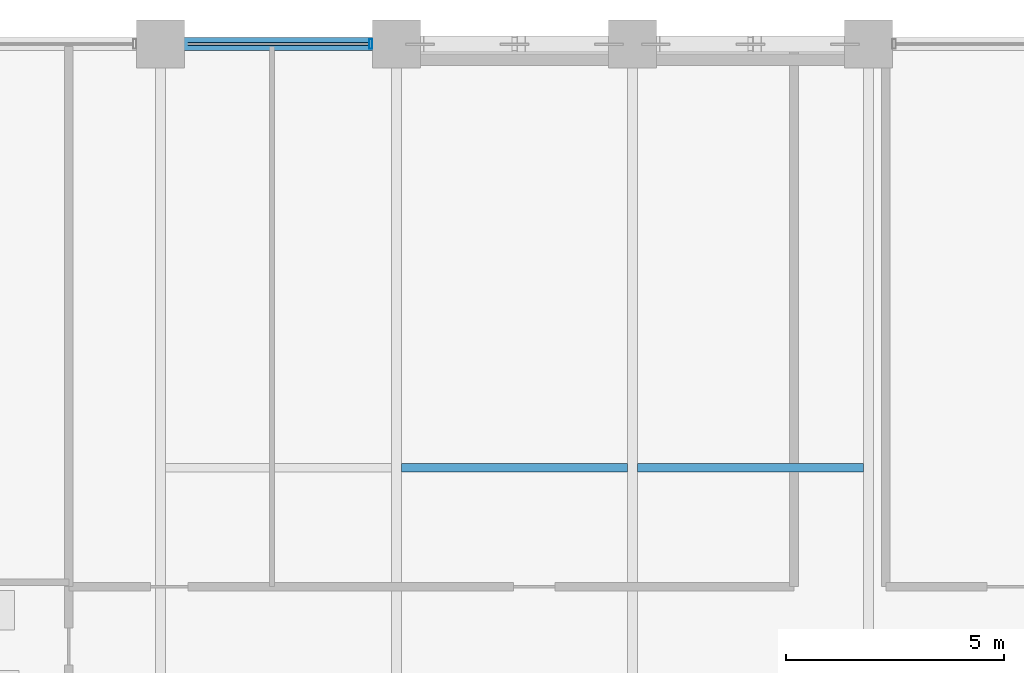
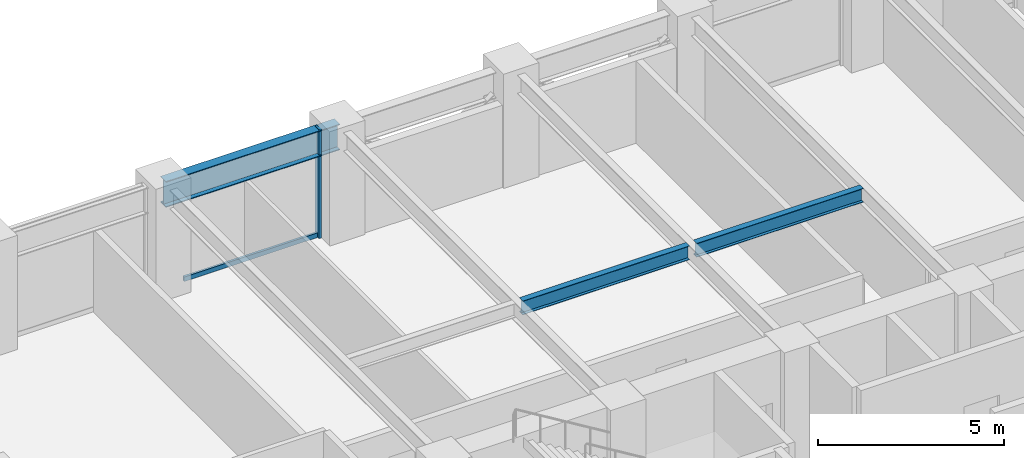
# One storey, part 12 of 25: 3 beams, 2 members, 1 element without a shape of its own.
"""IFC4 building model written with IfcOpenShell, lengths in metres."""

from ifc_helpers import new_model, si_unit, direction, frame, origin, origin_2d, place, context, subcontext, project, spatial, hollow_rectangle, i_section, extrude, material, layer, layer_set, material_profile, profile_set, type_object, element, aggregate, save


model = new_model("IFC4")

# Units and contexts
model_context = context("Model", 3, precision=1e-05, world=origin(), true_north=direction((0.0, 1.0)))
body_context = subcontext(model_context, "Body", "Model", "MODEL_VIEW")
ifc_project = project(units=[si_unit("LENGTHUNIT", "METRE"), si_unit("AREAUNIT", "SQUARE_METRE"), si_unit("VOLUMEUNIT", "CUBIC_METRE"), si_unit("PLANEANGLEUNIT", "RADIAN"), si_unit("MASSUNIT", "GRAM", prefix="KILO")], contexts=[model_context])

# Site, building, storey
site_placement = place(None, origin())
site = spatial("IfcSite", under=ifc_project, at=site_placement, CompositionType="ELEMENT")
building_placement = place(site_placement, origin())
building = spatial("IfcBuilding", under=site, at=building_placement, Name="Surkhivell Harbour Commons", CompositionType="ELEMENT")
storey_placement = place(building_placement, frame((0.0, 0.0, 94.5)))
storey = spatial("IfcBuildingStorey", under=building, at=storey_placement, Name="L24", CompositionType="ELEMENT", Elevation=94.5)

# Beams
ifc_material_1 = material(Name="Steel S355", Category="steel")
ifc_material_profile_1 = material_profile(ifc_material_1, i_section(OverallWidth=0.18994140625, OverallDepth=0.45703125, WebThickness=0.009033203125, FlangeThickness=0.014404296875, at=origin_2d()), Name="UB457x191x74")
ifc_profile_set_1 = profile_set([ifc_material_profile_1], Name="Steel S355")
beam_type_1 = type_object("IfcBeamType", Name="BM-JST-457B", PredefinedType="JOIST", material=ifc_profile_set_1)
for number, where, z_axis, x_axis, name in (
    (1, (-5.287109375, 16.199951171875, 3.341552734375), (1.0, 0.0, 0.0), (0.0, 1.0, 0.0), "L24 North Composite Joist (-5.4)"),
    (2, (0.113037109375, 16.199951171875, 3.341552734375), (1.0, 0.0, 0.0), (0.0, 1.0, 0.0), "L24 North Composite Joist (0.0)"),
):
    element("IfcBeam", number, at=place(storey_placement, frame(where, z_axis=z_axis, x_axis=x_axis)), inside=storey, type_object=beam_type_1, Name=name, PredefinedType="JOIST", context=body_context, shape_type="SweptSolid", body=[
        extrude(i_section(OverallWidth=0.18994140625, OverallDepth=0.45703125, WebThickness=0.009033203125, FlangeThickness=0.014404296875, at=origin_2d()), origin(), (0.0, 0.0, 1.0), 5.174072265625),
    ])
ifc_material_2 = material(Name="Steel S460", Category="steel")
ifc_material_profile_2 = material_profile(ifc_material_2, i_section(OverallWidth=0.2939453125, OverallDepth=0.85107421875, WebThickness=0.01611328125, FlangeThickness=0.02685546875, at=origin_2d()), Name="UB838x292x226")
ifc_profile_set_2 = profile_set([ifc_material_profile_2], Name="Steel S460")
beam_type_2 = type_object("IfcBeamType", Name="BM-SPN-838", PredefinedType="SPANDREL", material=ifc_profile_set_2)
beam_placement = place(storey_placement, frame((-10.800048828125, 25.89990234375, 3.14453125), z_axis=(1.0, 0.0, 0.0), x_axis=(0.0, 1.0, 0.0)))
element("IfcBeam", 3, at=beam_placement, inside=storey, type_object=beam_type_2, Name="L24 Tube Spandrel (-10.8,25.9)", PredefinedType="SPANDREL", context=body_context, shape_type="SweptSolid", body=[
    extrude(i_section(OverallWidth=0.2939453125, OverallDepth=0.85107421875, WebThickness=0.01611328125, FlangeThickness=0.02685546875, at=origin_2d()), origin(), (0.0, 0.0, 1.0), 5.400146484375),
])

# Curtain wall, members
ifc_material_3 = material(Name="Anodised pale-metal aluminium and insulated glazing", Category="aluminium")
ifc_layer = layer(ifc_material_3, 0.205078125)
ifc_layer_set = layer_set([ifc_layer], Name="Anodised pale-metal aluminium and insulated glazing")
curtain_wall_type = type_object("IfcCurtainWallType", Name="CW-SYS-Z2", PredefinedType="NOTDEFINED", material=ifc_layer_set)
curtain_wall_placement = place(storey_placement, origin())
curtain_wall = element("IfcCurtainWall", 4, at=curtain_wall_placement, inside=storey, type_object=curtain_wall_type, Name="L24 Curtain Wall CW-L24-E07S2", PredefinedType="NOTDEFINED")
ifc_material_4 = material(Name="Anodised pale-metal aluminium alloy 6063-T6", Category="aluminium")
ifc_material_profile_3 = material_profile(ifc_material_4, hollow_rectangle(XDim=0.074951171875, YDim=0.219970703125, WallThickness=0.00390625, at=origin_2d()), Name="ALU-MULL-75x220")
ifc_profile_set_3 = profile_set([ifc_material_profile_3], Name="Anodised pale-metal aluminium alloy 6063-T6")
member_type_1 = type_object("IfcMemberType", Name="CWM-220", PredefinedType="MULLION", material=ifc_profile_set_3)
member_1_placement = place(storey_placement, frame((-5.989501953125, 25.89990234375, 0.0), z_axis=(0.0, 0.0, 1.0), x_axis=(-1.0, 0.0, 0.0)))
member_1 = element("IfcMember", 5, at=member_1_placement, type_object=member_type_1, Name="CW-Z2 mullion 1", PredefinedType="MULLION", context=body_context, shape_type="SweptSolid", body=[
    extrude(hollow_rectangle(XDim=0.074951171875, YDim=0.219970703125, WallThickness=0.00390625, at=origin_2d()), origin(), (0.0, 0.0, 1.0), 3.570068359375),
])
ifc_material_profile_4 = material_profile(ifc_material_4, hollow_rectangle(XDim=0.074951171875, YDim=0.14990234375, WallThickness=0.00341796875, at=origin_2d()), Name="ALU-TRAN-75x150")
ifc_profile_set_4 = profile_set([ifc_material_profile_4], Name="Anodised pale-metal aluminium alloy 6063-T6")
member_type_2 = type_object("IfcMemberType", Name="CWT-150", PredefinedType="USERDEFINED", material=ifc_profile_set_4)
member_2_placement = place(storey_placement, frame((-6.027099609375, 25.89990234375, 0.074951171875), z_axis=(-1.0, 0.0, 0.0), x_axis=(0.0, -1.0, 0.0)))
member_2 = element("IfcMember", 6, at=member_2_placement, type_object=member_type_2, Name="CW-Z2 transom 1.1", ObjectType="TRANSOM", PredefinedType="USERDEFINED", context=body_context, shape_type="SweptSolid", body=[
    extrude(hollow_rectangle(XDim=0.074951171875, YDim=0.14990234375, WallThickness=0.00341796875, at=origin_2d()), origin(), (0.0, 0.0, 1.0), 4.14599609375),
])
aggregate(curtain_wall, [member_1, member_2])

save(model, "model.ifc")
